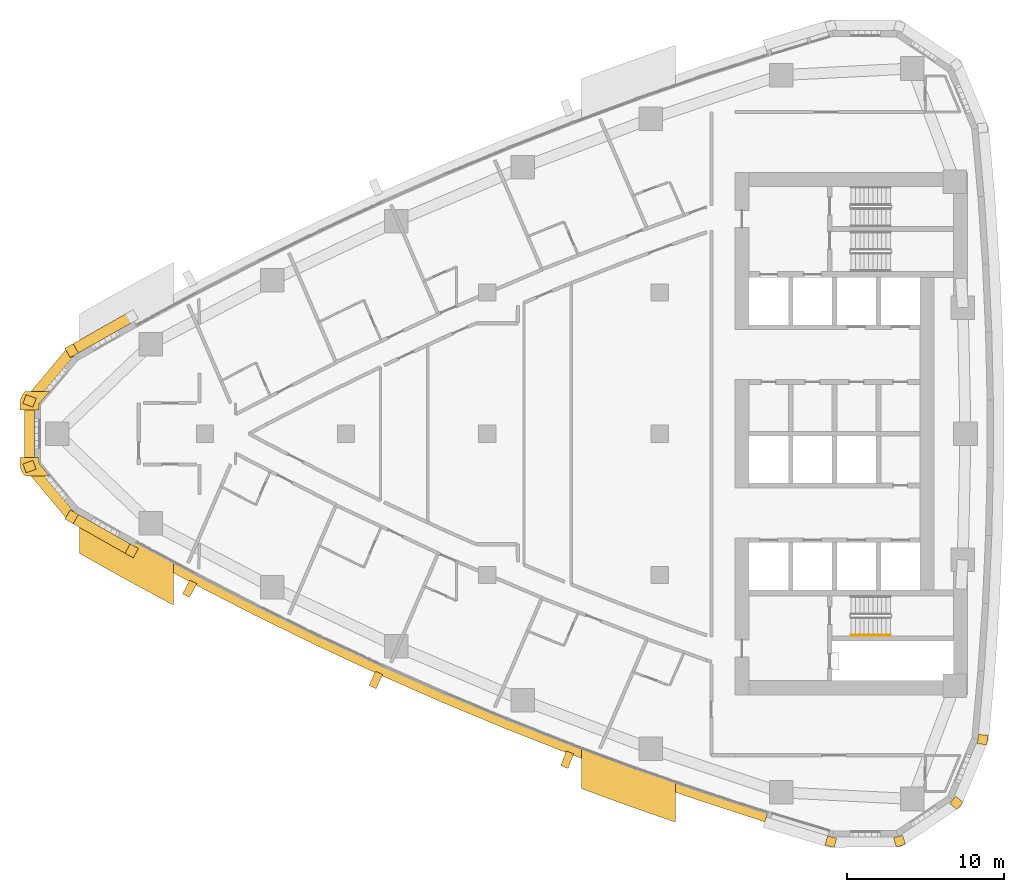
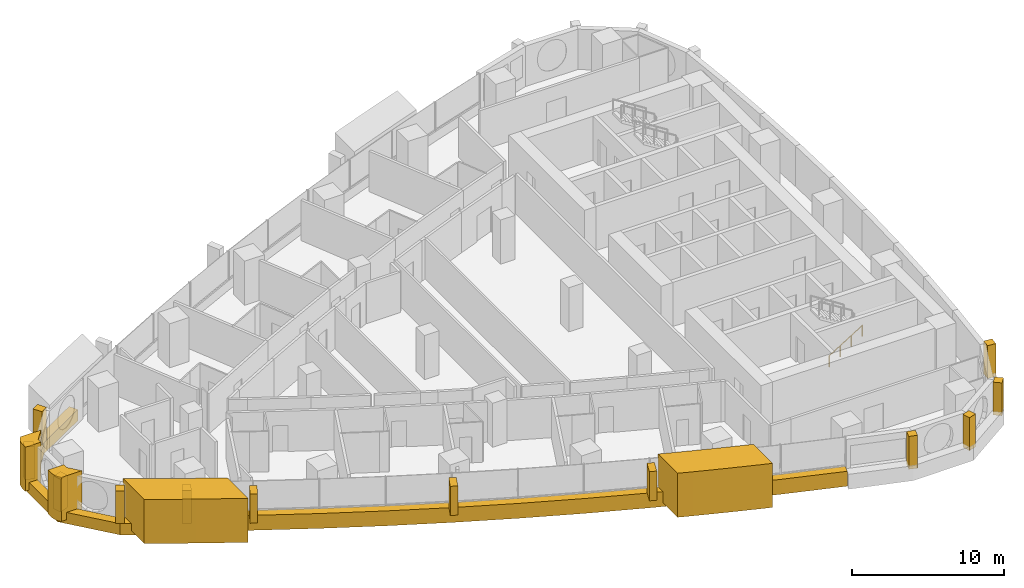
# One storey, part 14 of 17: 18 coverings, 1 railing.
"""IFC4 building model written with IfcOpenShell, lengths in metres."""

from ifc_helpers import new_model, si_unit, direction, frame, frame_2d, origin, origin_2d, place, context, subcontext, project, spatial, polyline, rectangle, circle, outline, extrude, material, layer, layer_set, type_object, element, save


model = new_model("IFC4")

# Units and contexts
model_context = context("Model", 3, precision=1e-05, world=origin(), true_north=direction((0.0, 1.0)))
body_context = subcontext(model_context, "Body", "Model", "MODEL_VIEW")
ifc_project = project(units=[si_unit("LENGTHUNIT", "METRE"), si_unit("AREAUNIT", "SQUARE_METRE"), si_unit("VOLUMEUNIT", "CUBIC_METRE"), si_unit("PLANEANGLEUNIT", "RADIAN"), si_unit("MASSUNIT", "GRAM", prefix="KILO")], contexts=[model_context])

# Site, building, storey
site_placement = place(None, origin())
site = spatial("IfcSite", under=ifc_project, at=site_placement, CompositionType="ELEMENT")
building_placement = place(site_placement, origin())
building = spatial("IfcBuilding", under=site, at=building_placement, Name="Ostrand Prow Hotel Tower", CompositionType="ELEMENT")
storey_placement = place(building_placement, frame((0.0, 0.0, 144.39990234375)))
storey = spatial("IfcBuildingStorey", under=building, at=storey_placement, Name="L35", CompositionType="ELEMENT", Elevation=144.39990234375)

# Coverings
ifc_material_1 = material(Name="Bronze anodised aluminium cladding", Category="aluminium")
ifc_layer_1 = layer(ifc_material_1, 0.60009765625)
ifc_layer_set_1 = layer_set([ifc_layer_1], Name="Bronze anodised aluminium cladding")
covering_type_1 = type_object("IfcCoveringType", Name="Bronze prow band 899x600", PredefinedType="CLADDING", material=ifc_layer_set_1)
covering_1_placement = place(storey_placement, frame((0.0, 0.0, -0.2998046875)))
element("IfcCovering", 1, at=covering_1_placement, inside=storey, type_object=covering_type_1, Name="Bronze prow band", PredefinedType="CLADDING", context=body_context, shape_type="SweptSolid", body=[
    extrude(outline(polyline([(11.16845703125, 7.766845703125), (7.335205078125, 5.594970703125), (4.5009765625, 2.208251953125), (4.5009765625, -2.208251953125), (7.335205078125, -5.594970703125), (11.16845703125, -7.766845703125), (11.497802734375, -7.171875), (7.676513671875, -5.006591796875), (5.14013671875, -1.97607421875), (5.14013671875, 1.97607421875), (7.676513671875, 5.006591796875), (11.497802734375, 7.171875), (11.16845703125, 7.766845703125)])), origin(), (0.0, 0.0, 1.0), 0.89990234375),
])
ifc_material_2 = material(Name="Bronze anodised aluminium cladding", Category="aluminium")
ifc_layer_2 = layer(ifc_material_2, 0.60009765625)
ifc_layer_set_2 = layer_set([ifc_layer_2], Name="Bronze anodised aluminium cladding")
covering_type_2 = type_object("IfcCoveringType", Name="Bronze spandrel band 1200x600", PredefinedType="CLADDING", material=ifc_layer_set_2)
covering_2_placement = place(storey_placement, frame((0.0, 0.0, -0.2998046875)))
element("IfcCovering", 2, at=covering_2_placement, inside=storey, type_object=covering_type_2, Name="Spandrel band S1", PredefinedType="CLADDING", context=body_context, shape_type="SweptSolid", body=[
    extrude(outline(polyline([(11.3466796875, -7.445068359375), (15.21630859375, -9.535888671875), (19.126953125, -11.548828125), (23.077392578125, -13.482666015625), (27.06591796875, -15.336669921875), (31.091064453125, -17.110107421875), (35.15087890625, -18.80224609375), (39.243896484375, -20.41259765625), (43.368408203125, -21.9404296875), (47.522705078125, -23.385009765625), (51.705322265625, -24.74560546875), (51.88525390625, -24.17333984375), (47.714111328125, -22.81640625), (43.571044921875, -21.375732421875), (39.457763671875, -19.85205078125), (35.376220703125, -18.24609375), (31.327392578125, -16.55859375), (27.3134765625, -14.7900390625), (23.335693359375, -12.941162109375), (19.396240234375, -11.0126953125), (15.49609375, -9.00537109375), (11.63720703125, -6.920166015625), (11.3466796875, -7.445068359375)])), origin(), (0.0, 0.0, 1.0), 1.199951171875),
])
ifc_material_3 = material(Name="Limestone cladding", Category="masonry")
ifc_layer_3 = layer(ifc_material_3, 5.0)
ifc_layer_set_3 = layer_set([ifc_layer_3], Name="Limestone cladding")
covering_type_3 = type_object("IfcCoveringType", Name="Portal jamb pilaster limestone", PredefinedType="CLADDING", material=ifc_layer_set_3)
covering_3_placement = place(storey_placement, origin())
element("IfcCovering", 3, at=covering_3_placement, inside=storey, type_object=covering_type_3, Name="Portal jamb SA L35", PredefinedType="CLADDING", context=body_context, shape_type="SweptSolid", body=[
    extrude(outline(polyline([(8.0, -4.861572265625), (8.0, -7.62939453125), (9.0, -8.1962890625), (10.0, -8.75634765625), (11.0, -9.3095703125), (12.0, -9.856201171875), (13.0, -10.39599609375), (14.0, -10.92919921875), (14.0, -8.208740234375), (13.0, -7.66796875), (12.0, -7.12060546875), (11.0, -6.566162109375), (10.0, -6.0048828125), (9.0, -5.436767578125), (8.0, -4.861572265625)])), origin(), (0.0, 0.0, 1.0), 3.550048828125),
])
covering_4_placement = place(storey_placement, origin())
element("IfcCovering", 4, at=covering_4_placement, inside=storey, type_object=covering_type_3, Name="Portal jamb SB L35", PredefinedType="CLADDING", context=body_context, shape_type="SweptSolid", body=[
    extrude(outline(polyline([(40.0, -20.058349609375), (40.0, -22.622802734375), (41.0, -22.994140625), (42.0, -23.360107421875), (43.0, -23.720458984375), (44.0, -24.075439453125), (45.0, -24.425048828125), (46.0, -24.769287109375), (46.0, -22.231689453125), (45.0, -21.883056640625), (44.0, -21.529296875), (43.0, -21.169921875), (42.0, -20.804931640625), (41.0, -20.434326171875), (40.0, -20.058349609375)])), origin(), (0.0, 0.0, 1.0), 3.550048828125),
])
ifc_material_4 = material(Name="Limestone cladding", Category="masonry")
ifc_layer_4 = layer(ifc_material_4, 0.5)
ifc_layer_set_4 = layer_set([ifc_layer_4], Name="Limestone cladding")
covering_type_4 = type_object("IfcCoveringType", Name="Precast stone fin 500x900", PredefinedType="CLADDING", material=ifc_layer_set_4)
covering_5_placement = place(storey_placement, frame((15.2626953125, -9.447509765625, 0.900146484375), z_axis=(0.0, 0.0, 1.0), x_axis=(-0.466350109869, -0.884600234584, 0.0)))
element("IfcCovering", 5, at=covering_5_placement, inside=storey, type_object=covering_type_4, Name="Stone fin S 2", PredefinedType="CLADDING", context=body_context, shape_type="SweptSolid", body=[
    extrude(rectangle(XDim=1.0, YDim=0.5, at=frame_2d((0.5, 0.0))), origin(), (0.0, 0.0, 1.0), 2.349853515625),
])
covering_6_placement = place(storey_placement, frame((27.107177734375, -15.24560546875, 0.900146484375), z_axis=(0.0, 0.0, 1.0), x_axis=(-0.412404328124, -0.911000916654, 0.0)))
element("IfcCovering", 6, at=covering_6_placement, inside=storey, type_object=covering_type_4, Name="Stone fin S 5", PredefinedType="CLADDING", context=body_context, shape_type="SweptSolid", body=[
    extrude(rectangle(XDim=0.999755859375, YDim=0.5, at=frame_2d((0.5, 0.0))), origin(), (0.0, 0.0, 1.0), 2.349853515625),
])
covering_7_placement = place(storey_placement, frame((39.279541015625, -20.319091796875, 0.900146484375), z_axis=(0.0, 0.0, 1.0), x_axis=(-0.356868116991, -0.93415477683, 0.0)))
element("IfcCovering", 7, at=covering_7_placement, inside=storey, type_object=covering_type_4, Name="Stone fin S 8", PredefinedType="CLADDING", context=body_context, shape_type="SweptSolid", body=[
    extrude(rectangle(XDim=1.000244140625, YDim=0.5, at=frame_2d((0.5, 0.0))), origin(), (0.0, 0.0, 1.0), 2.349853515625),
])
ifc_material_5 = material(Name="Limestone cladding", Category="masonry")
ifc_layer_5 = layer(ifc_material_5, 0.60009765625)
ifc_layer_set_5 = layer_set([ifc_layer_5], Name="Limestone cladding")
covering_type_5 = type_object("IfcCoveringType", Name="Precast stone prow rib 600x600", PredefinedType="CLADDING", material=ifc_layer_set_5)
covering_8_placement = place(storey_placement, frame((7.676513671875, 5.006591796875, 0.60009765625), z_axis=(0.0, 0.0, 1.0), x_axis=(-0.501771803437, 0.865000033107, 0.0)))
element("IfcCovering", 8, at=covering_8_placement, inside=storey, type_object=covering_type_5, Name="Stone prow rib 2", PredefinedType="CLADDING", context=body_context, shape_type="SweptSolid", body=[
    extrude(rectangle(XDim=0.68017578125, YDim=0.60009765625, at=frame_2d((0.340087890625, 0.0))), origin(), (0.0, 0.0, 1.0), 2.64990234375),
])
for number, where, z_axis, x_axis, name in (
    (9, (5.14013671875, 1.97607421875, 0.60009765625), (0.0, 0.0, 1.0), (-0.939908674991, 0.341425954896, 0.0), "Stone prow rib 3"),
    (10, (5.14013671875, -1.97607421875, 0.60009765625), (0.0, 0.0, 1.0), (-0.939908674991, -0.341425954896, 0.0), "Stone prow rib 4"),
):
    element("IfcCovering", number, at=place(storey_placement, frame(where, z_axis=z_axis, x_axis=x_axis)), inside=storey, type_object=covering_type_5, Name=name, PredefinedType="CLADDING", context=body_context, shape_type="SweptSolid", body=[
        extrude(rectangle(XDim=0.679931640625, YDim=0.60009765625, at=frame_2d((0.33984375, 0.0))), origin(), (0.0, 0.0, 1.0), 2.64990234375),
    ])
covering_9_placement = place(storey_placement, frame((7.676513671875, -5.006591796875, 0.60009765625), z_axis=(0.0, 0.0, 1.0), x_axis=(-0.501771803437, -0.865000033107, 0.0)))
element("IfcCovering", 11, at=covering_9_placement, inside=storey, type_object=covering_type_5, Name="Stone prow rib 5", PredefinedType="CLADDING", context=body_context, shape_type="SweptSolid", body=[
    extrude(rectangle(XDim=0.68017578125, YDim=0.60009765625, at=frame_2d((0.340087890625, 0.0))), origin(), (0.0, 0.0, 1.0), 2.64990234375),
])
covering_10_placement = place(storey_placement, frame((11.497802734375, -7.171875, 0.60009765625), z_axis=(0.0, 0.0, 1.0), x_axis=(-0.484301161624, -0.874901357211, 0.0)))
element("IfcCovering", 12, at=covering_10_placement, inside=storey, type_object=covering_type_5, Name="Stone prow rib 6", PredefinedType="CLADDING", context=body_context, shape_type="SweptSolid", body=[
    extrude(rectangle(XDim=0.679931640625, YDim=0.60009765625, at=frame_2d((0.33984375, 0.0))), origin(), (0.0, 0.0, 1.0), 2.64990234375),
])
covering_11_placement = place(storey_placement, frame((56.001953125, -25.722412109375, 0.60009765625), z_axis=(0.0, 0.0, 1.0), x_axis=(-0.280734221166, -0.959785547436, 0.0)))
element("IfcCovering", 13, at=covering_11_placement, inside=storey, type_object=covering_type_5, Name="Stone corner rib 2a", PredefinedType="CLADDING", context=body_context, shape_type="SweptSolid", body=[
    extrude(rectangle(XDim=0.60009765625, YDim=0.60009765625, at=frame_2d((0.300048828125, 0.0))), origin(), (0.0, 0.0, 1.0), 2.64990234375),
])
for number, where, z_axis, x_axis, name in (
    (14, (60.201171875, -25.689697265625, 0.60009765625), (0.0, 0.0, 1.0), (0.295515682615, -0.955337888565, 0.0), "Stone corner rib 3a"),
    (15, (63.68505859375, -23.34521484375, 0.60009765625), (0.0, 0.0, 1.0), (0.773830327772, -0.633392945825, 0.0), "Stone corner rib 4a"),
):
    element("IfcCovering", number, at=place(storey_placement, frame(where, z_axis=z_axis, x_axis=x_axis)), inside=storey, type_object=covering_type_5, Name=name, PredefinedType="CLADDING", context=body_context, shape_type="SweptSolid", body=[
        extrude(rectangle(XDim=0.599853515625, YDim=0.60009765625, at=frame_2d((0.2998046875, 0.0))), origin(), (0.0, 0.0, 1.0), 2.64990234375),
    ])
covering_12_placement = place(storey_placement, frame((65.296875, -19.467529296875, 0.60009765625), z_axis=(0.0, 0.0, 1.0), x_axis=(0.994854249607, -0.101316445052, 0.0)))
element("IfcCovering", 16, at=covering_12_placement, inside=storey, type_object=covering_type_5, Name="Stone corner rib 4b", PredefinedType="CLADDING", context=body_context, shape_type="SweptSolid", body=[
    extrude(rectangle(XDim=0.60009765625, YDim=0.60009765625, at=frame_2d((0.300048828125, 0.0))), origin(), (0.0, 0.0, 1.0), 2.64990234375),
])
ifc_material_6 = material(Name="Limestone cladding", Category="masonry")
ifc_layer_6 = layer(ifc_material_6, 3.0)
ifc_layer_set_6 = layer_set([ifc_layer_6], Name="Limestone cladding")
covering_type_6 = type_object("IfcCoveringType", Name="Prow nose pier limestone", PredefinedType="CLADDING", material=ifc_layer_set_6)
covering_13_placement = place(storey_placement, origin())
element("IfcCovering", 17, at=covering_13_placement, inside=storey, type_object=covering_type_6, Name="Prow spine fin N L35", PredefinedType="CLADDING", context=body_context, shape_type="SweptSolid", body=[
    extrude(outline(polyline([(4.210693359375, 1.877685546875), (4.210693359375, 1.5), (5.41064453125, 1.5), (5.41064453125, 1.877685546875), (6.098876953125, 2.699951171875), (4.533935546875, 2.699951171875), (4.490478515625, 2.64794921875), (4.41845703125, 2.552490234375), (4.356201171875, 2.45068359375), (4.304443359375, 2.343017578125), (4.263916015625, 2.230712890625), (4.234375, 2.114990234375), (4.216552734375, 1.9970703125), (4.210693359375, 1.877685546875)])), origin(), (0.0, 0.0, 1.0), 3.550048828125),
])
covering_14_placement = place(storey_placement, origin())
element("IfcCovering", 18, at=covering_14_placement, inside=storey, type_object=covering_type_6, Name="Prow spine fin S L35", PredefinedType="CLADDING", context=body_context, shape_type="SweptSolid", body=[
    extrude(outline(polyline([(4.490478515625, -2.64794921875), (4.533935546875, -2.699951171875), (6.098876953125, -2.699951171875), (5.41064453125, -1.877685546875), (5.41064453125, -1.5), (4.210693359375, -1.5), (4.210693359375, -1.877685546875), (4.216552734375, -1.9970703125), (4.234375, -2.114990234375), (4.263916015625, -2.230712890625), (4.304443359375, -2.343017578125), (4.356201171875, -2.45068359375), (4.41845703125, -2.552490234375), (4.490478515625, -2.64794921875)])), origin(), (0.0, 0.0, 1.0), 3.550048828125),
])

# Railing
ifc_material_7 = material(Name="Stainless steel", Category="steel")
railing_type = type_object("IfcRailingType", Name="Stair handrail 900", PredefinedType="HANDRAIL", material=ifc_material_7)
railing_placement = place(storey_placement, frame((57.199951171875, -12.85009765625, 0.177490234375)))
element("IfcRailing", 19, at=railing_placement, inside=storey, type_object=railing_type, Name="L35 ST2C stair handrail 1", PredefinedType="HANDRAIL", context=body_context, shape_type="SweptSolid", body=[
    extrude(circle(Radius=0.02392578125, at=origin_2d()), frame((0.0, 0.0, 0.8759765625), z_axis=(0.84456994832, 0.0, 0.535445237532), x_axis=(0.0, 1.0, 0.0)), (0.0, 0.0, 1.0), 2.98388671875),
    extrude(circle(Radius=0.02099609375, at=origin_2d()), origin(), (0.0, 0.0, 1.0), 0.851806640625),
    extrude(circle(Radius=0.02099609375, at=origin_2d()), frame((0.840087890625, 0.0, 0.532470703125)), (0.0, 0.0, 1.0), 0.851806640625),
    extrude(circle(Radius=0.02099609375, at=origin_2d()), frame((1.679931640625, 0.0, 1.065185546875)), (0.0, 0.0, 1.0), 0.851806640625),
    extrude(circle(Radius=0.02099609375, at=origin_2d()), frame((2.52001953125, 0.0, 1.59765625)), (0.0, 0.0, 1.0), 0.851806640625),
])

save(model, "model.ifc")
